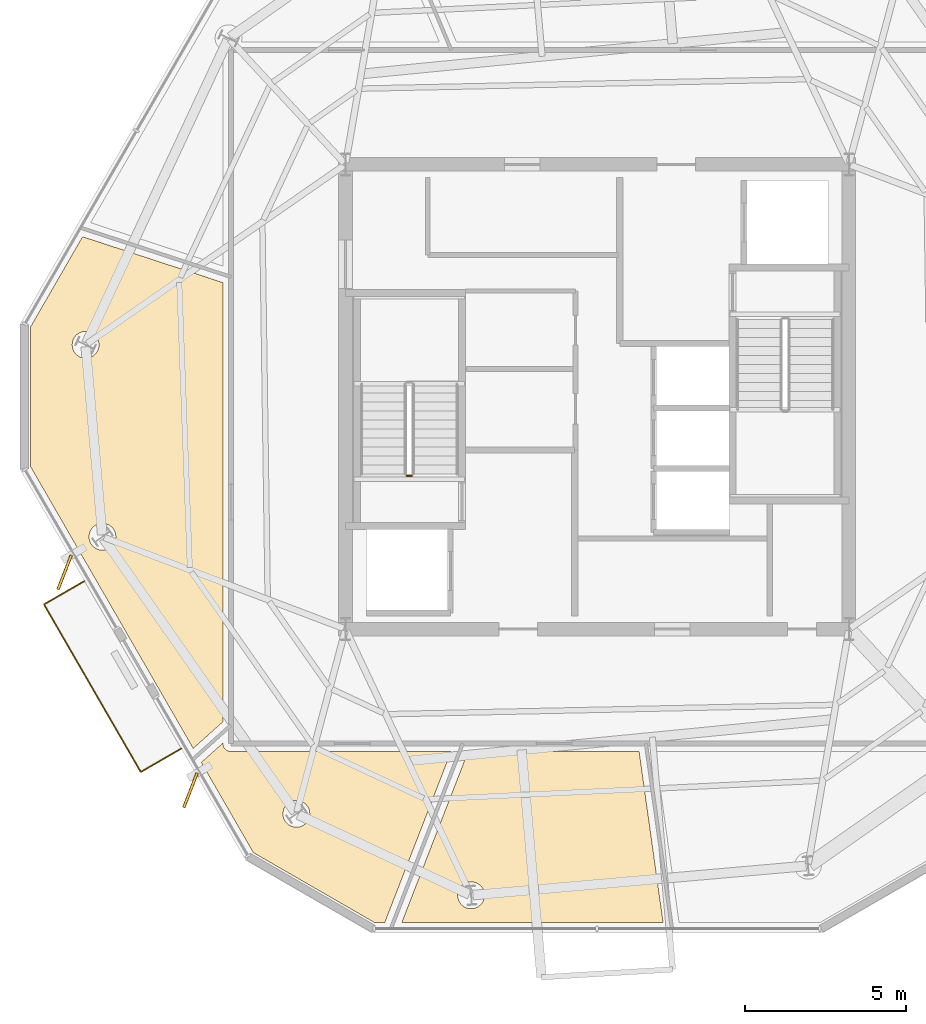
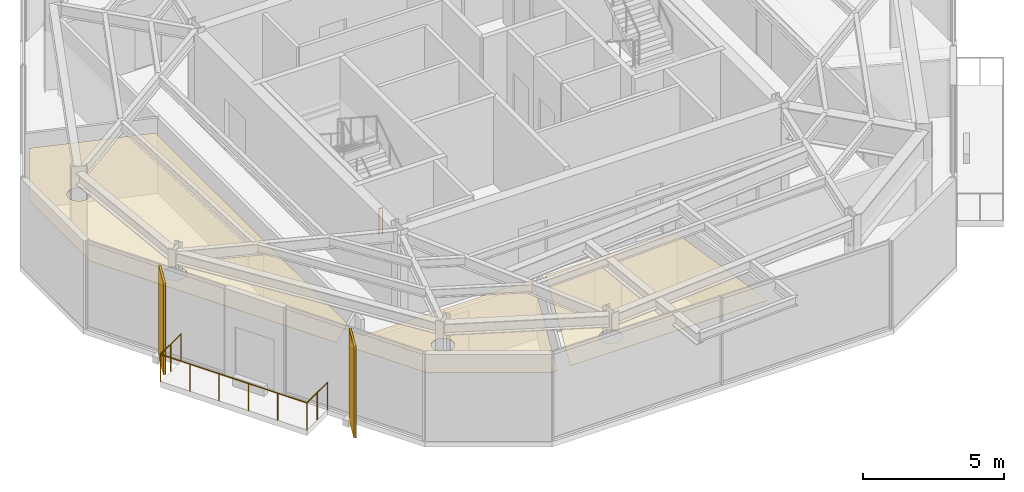
# One storey, part 8 of 11: 5 coverings, 2 railings, 2 shading devices.
"""IFC4 building model written with IfcOpenShell, lengths in metres."""

from ifc_helpers import new_model, si_unit, direction, frame, origin, origin_2d, place, context, subcontext, project, spatial, polyline, rectangle, circle, outline, extrude, material, layer, layer_set, type_object, element, save


model = new_model("IFC4")

# Units and contexts
model_context = context("Model", 3, precision=1e-05, world=origin(), true_north=direction((0.0, 1.0)))
body_context = subcontext(model_context, "Body", "Model", "MODEL_VIEW")
ifc_project = project(units=[si_unit("LENGTHUNIT", "METRE"), si_unit("AREAUNIT", "SQUARE_METRE"), si_unit("VOLUMEUNIT", "CUBIC_METRE"), si_unit("PLANEANGLEUNIT", "RADIAN"), si_unit("MASSUNIT", "GRAM", prefix="KILO")], contexts=[model_context])

# Site, building, storey
site_placement = place(None, origin())
site = spatial("IfcSite", under=ifc_project, at=site_placement, CompositionType="ELEMENT")
building_placement = place(site_placement, origin())
building = spatial("IfcBuilding", under=site, at=building_placement, Name="Kranzbogen Civic Tower", CompositionType="ELEMENT")
storey_placement = place(building_placement, frame((0.0, 0.0, 266.199951171875)))
storey = spatial("IfcBuildingStorey", under=building, at=storey_placement, Name="L64", CompositionType="ELEMENT", Elevation=266.199951171875)

# Coverings
ifc_material_1 = material(Name="Pale Anodised Aluminium", Category="aluminium")
ifc_layer_1 = layer(ifc_material_1, 0.02490234375, Name="Pale Anodised Aluminium")
ifc_layer_set_1 = layer_set([ifc_layer_1], Name="Pale Anodised Aluminium")
covering_type_1 = type_object("IfcCoveringType", Name="Anodised Aluminium Vertical Fin Cladding 25 mm", PredefinedType="CLADDING", material=ifc_layer_set_1)
for number, where, z_axis, x_axis, name in (
    (1, (8.4951171875, 19.55810546875, -0.139892578125), (0.0, 0.0, 1.0), (-0.361705929305, -0.932292239969, 0.0), "L64 vertical fin pale-metal cladding F3-1"),
    (2, (12.39501953125, 12.802978515625, -0.139892578125), (0.0, 0.0, 1.0), (-0.361705929305, -0.932292239969, 0.0), "L64 vertical fin pale-metal cladding F3-4"),
):
    element("IfcCovering", number, at=place(storey_placement, frame(where, z_axis=z_axis, x_axis=x_axis)), inside=storey, type_object=covering_type_1, Name=name, PredefinedType="CLADDING", context=body_context, shape_type="SweptSolid", body=[
        extrude(rectangle(XDim=1.14990234375, YDim=0.094970703125, at=origin_2d()), origin(), (0.0, 0.0, 1.0), 3.9599609375),
    ])

# Railings
ifc_material_2 = material(Name="Anodised Bronze Aluminium", Category="aluminium")
railing_type_1 = type_object("IfcRailingType", Name="Cantilevered Balcony Glass and Bronze Balustrade 1200", PredefinedType="BALUSTRADE", material=ifc_material_2)
railing_1_placement = place(storey_placement, frame((9.110107421875, 19.2900390625, 0.0)))
element("IfcRailing", 3, at=railing_1_placement, inside=storey, type_object=railing_type_1, Name="L64 exterior terrace balustrade L64-TB1", PredefinedType="BALUSTRADE", context=body_context, shape_type="SweptSolid", body=[
    extrude(circle(Radius=0.02392578125, at=origin_2d()), frame((0.0, 0.0, 1.17578125), z_axis=(-0.866059450854, -0.499941024108, 0.0), x_axis=(0.499941024108, -0.866059450854, 0.0)), (0.0, 0.0, 1.0), 1.450439453125),
    extrude(circle(Radius=0.02392578125, at=origin_2d()), frame((-1.256103515625, -0.72509765625, 1.17578125), z_axis=(0.500007758305, -0.866020924479, 0.0), x_axis=(0.866020924479, 0.500007758305, 0.0)), (0.0, 0.0, 1.0), 6.0),
    extrude(circle(Radius=0.02392578125, at=origin_2d()), frame((1.743896484375, -5.921142578125, 1.17578125), z_axis=(0.866059450854, 0.499941024108, 0.0), x_axis=(-0.499941024108, 0.866059450854, 0.0)), (0.0, 0.0, 1.0), 1.450439453125),
    extrude(circle(Radius=0.02099609375, at=origin_2d()), origin(), (0.0, 0.0, 1.0), 1.15185546875),
    extrude(circle(Radius=0.02099609375, at=origin_2d()), frame((-0.6279296875, -0.362548828125, 0.0)), (0.0, 0.0, 1.0), 1.15185546875),
    extrude(circle(Radius=0.02099609375, at=origin_2d()), frame((-1.256103515625, -0.72509765625, 0.0)), (0.0, 0.0, 1.0), 1.15185546875),
    extrude(circle(Radius=0.02099609375, at=origin_2d()), frame((-0.656005859375, -1.764404296875, 0.0)), (0.0, 0.0, 1.0), 1.15185546875),
    extrude(circle(Radius=0.02099609375, at=origin_2d()), frame((-0.05615234375, -2.803466796875, 0.0)), (0.0, 0.0, 1.0), 1.15185546875),
    extrude(circle(Radius=0.02099609375, at=origin_2d()), frame((0.5439453125, -3.8427734375, 0.0)), (0.0, 0.0, 1.0), 1.15185546875),
    extrude(circle(Radius=0.02099609375, at=origin_2d()), frame((1.143798828125, -4.8818359375, 0.0)), (0.0, 0.0, 1.0), 1.15185546875),
    extrude(circle(Radius=0.02099609375, at=origin_2d()), frame((1.743896484375, -5.921142578125, 0.0)), (0.0, 0.0, 1.0), 1.15185546875),
    extrude(circle(Radius=0.02099609375, at=origin_2d()), frame((2.3720703125, -5.55859375, 0.0)), (0.0, 0.0, 1.0), 1.15185546875),
    extrude(circle(Radius=0.02099609375, at=origin_2d()), frame((3.0, -5.196044921875, 0.0)), (0.0, 0.0, 1.0), 1.15185546875),
])
ifc_material_3 = material(Name="Steel S355", Category="steel")
railing_type_2 = type_object("IfcRailingType", Name="Internal Stair and Void Steel Guardrail 1150", PredefinedType="GUARDRAIL", material=ifc_material_3)
railing_2_placement = place(storey_placement, frame((19.25, 22.550048828125, 0.0)))
element("IfcRailing", 4, at=railing_2_placement, inside=storey, type_object=railing_type_2, Name="L64 ST-T1 stair guard 4", PredefinedType="GUARDRAIL", context=body_context, shape_type="SweptSolid", body=[
    extrude(circle(Radius=0.02392578125, at=origin_2d()), frame((0.0, 0.0, 1.1259765625), z_axis=(-1.0, 0.0, 0.0), x_axis=(0.0, -1.0, 0.0)), (0.0, 0.0, 1.0), 0.14990234375),
    extrude(circle(Radius=0.02099609375, at=origin_2d()), origin(), (0.0, 0.0, 1.0), 1.101806640625),
    extrude(circle(Radius=0.02099609375, at=origin_2d()), frame((-0.14990234375, 0.0, 0.0)), (0.0, 0.0, 1.0), 1.101806640625),
])

# Shading devices
shading_device_type = type_object("IfcShadingDeviceType", Name="Pale Anodised Aluminium Crown Fin 1150x75", PredefinedType="USERDEFINED", material=ifc_material_1)
for number, where, z_axis, x_axis, name in (
    (5, (8.4951171875, 19.55810546875, -0.139892578125), (0.0, 0.0, 1.0), (-0.361705929305, -0.932292239969, 0.0), "L64 vertical exterior shading fin F3-1"),
    (6, (12.39501953125, 12.802978515625, -0.139892578125), (0.0, 0.0, 1.0), (-0.361705929305, -0.932292239969, 0.0), "L64 vertical exterior shading fin F3-4"),
):
    element("IfcShadingDevice", number, at=place(storey_placement, frame(where, z_axis=z_axis, x_axis=x_axis)), inside=storey, type_object=shading_device_type, Name=name, ObjectType="FIN", PredefinedType="USERDEFINED", context=body_context, shape_type="SweptSolid", body=[
        extrude(rectangle(XDim=1.14990234375, YDim=0.074951171875, at=origin_2d()), origin(), (0.0, 0.0, 1.0), 3.9599609375),
    ])

# Coverings
ifc_material_4 = material(Name="Perforated Acoustic Gypsum Ceiling")
ifc_layer_2 = layer(ifc_material_4, 0.02490234375, Name="Perforated Acoustic Gypsum Ceiling")
ifc_layer_set_2 = layer_set([ifc_layer_2], Name="Perforated Acoustic Gypsum Ceiling")
covering_type_2 = type_object("IfcCoveringType", Name="Perforated Acoustic Mineral Ceiling Tile 25 mm", PredefinedType="CEILING", material=ifc_layer_set_2)
covering_1_placement = place(storey_placement, frame((0.0, 0.0, 2.75)))
element("IfcCovering", 7, at=covering_1_placement, inside=storey, type_object=covering_type_2, Name="L64 Operations Security Control Room acoustic ceiling", PredefinedType="CEILING", context=body_context, shape_type="SweptSolid", body=[
    extrude(outline(polyline([(7.43701171875, 27.1630859375), (9.051025390625, 29.958984375), (13.405029296875, 28.534912109375), (13.405029296875, 14.929931640625), (12.47998046875, 14.10107421875), (7.43701171875, 22.8369140625), (7.43701171875, 27.1630859375)]), holes=[polyline([(10.050048828125, 20.501953125), (10.031982421875, 20.465087890625), (10.010986328125, 20.429931640625), (9.987060546875, 20.39697265625), (9.9599609375, 20.366943359375), (9.929931640625, 20.340087890625), (9.89697265625, 20.31591796875), (9.862060546875, 20.294921875), (9.824951171875, 20.277099609375), (9.787109375, 20.262939453125), (9.7470703125, 20.25390625), (9.70703125, 20.248046875), (9.666015625, 20.24609375), (9.625, 20.248046875), (9.5849609375, 20.25390625), (9.544921875, 20.262939453125), (9.507080078125, 20.277099609375), (9.469970703125, 20.294921875), (9.43505859375, 20.31591796875), (9.402099609375, 20.340087890625), (9.3720703125, 20.366943359375), (9.344970703125, 20.39697265625), (9.321044921875, 20.429931640625), (9.300048828125, 20.465087890625), (9.281982421875, 20.501953125), (9.26806640625, 20.5400390625), (9.259033203125, 20.580078125), (9.2529296875, 20.6201171875), (9.2509765625, 20.660888671875), (9.2529296875, 20.701904296875), (9.259033203125, 20.741943359375), (9.26806640625, 20.781982421875), (9.281982421875, 20.820068359375), (9.300048828125, 20.85693359375), (9.321044921875, 20.89208984375), (9.344970703125, 20.925048828125), (9.3720703125, 20.955078125), (9.402099609375, 20.98193359375), (9.43505859375, 21.006103515625), (9.469970703125, 21.027099609375), (9.507080078125, 21.044921875), (9.544921875, 21.05908203125), (9.5849609375, 21.068115234375), (9.625, 21.073974609375), (9.666015625, 21.075927734375), (9.70703125, 21.073974609375), (9.7470703125, 21.068115234375), (9.787109375, 21.05908203125), (9.824951171875, 21.044921875), (9.862060546875, 21.027099609375), (9.89697265625, 21.006103515625), (9.929931640625, 20.98193359375), (9.9599609375, 20.955078125), (9.987060546875, 20.925048828125), (10.010986328125, 20.89208984375), (10.031982421875, 20.85693359375), (10.050048828125, 20.820068359375), (10.06396484375, 20.781982421875), (10.072998046875, 20.741943359375), (10.0791015625, 20.701904296875), (10.0810546875, 20.660888671875), (10.0791015625, 20.6201171875), (10.072998046875, 20.580078125), (10.06396484375, 20.5400390625), (10.050048828125, 20.501953125)]), polyline([(9.529052734375, 26.450927734375), (9.510986328125, 26.4140625), (9.489990234375, 26.37890625), (9.466064453125, 26.345947265625), (9.43896484375, 26.31591796875), (9.408935546875, 26.2890625), (9.3759765625, 26.264892578125), (9.341064453125, 26.243896484375), (9.303955078125, 26.22607421875), (9.26611328125, 26.2119140625), (9.22607421875, 26.202880859375), (9.18603515625, 26.197021484375), (9.14501953125, 26.195068359375), (9.10400390625, 26.197021484375), (9.06396484375, 26.202880859375), (9.02392578125, 26.2119140625), (8.986083984375, 26.22607421875), (8.948974609375, 26.243896484375), (8.9140625, 26.264892578125), (8.881103515625, 26.2890625), (8.85107421875, 26.31591796875), (8.823974609375, 26.345947265625), (8.800048828125, 26.37890625), (8.779052734375, 26.4140625), (8.760986328125, 26.450927734375), (8.7470703125, 26.489013671875), (8.738037109375, 26.529052734375), (8.73193359375, 26.569091796875), (8.72998046875, 26.610107421875), (8.73193359375, 26.65087890625), (8.738037109375, 26.69091796875), (8.7470703125, 26.73095703125), (8.760986328125, 26.76904296875), (8.779052734375, 26.805908203125), (8.800048828125, 26.841064453125), (8.823974609375, 26.8740234375), (8.85107421875, 26.904052734375), (8.881103515625, 26.930908203125), (8.9140625, 26.955078125), (8.948974609375, 26.97607421875), (8.986083984375, 26.993896484375), (9.02392578125, 27.008056640625), (9.06396484375, 27.01708984375), (9.10400390625, 27.02294921875), (9.14501953125, 27.02490234375), (9.18603515625, 27.02294921875), (9.22607421875, 27.01708984375), (9.26611328125, 27.008056640625), (9.303955078125, 26.993896484375), (9.341064453125, 26.97607421875), (9.3759765625, 26.955078125), (9.408935546875, 26.930908203125), (9.43896484375, 26.904052734375), (9.466064453125, 26.8740234375), (9.489990234375, 26.841064453125), (9.510986328125, 26.805908203125), (9.529052734375, 26.76904296875), (9.54296875, 26.73095703125), (9.552001953125, 26.69091796875), (9.55810546875, 26.65087890625), (9.56005859375, 26.610107421875), (9.55810546875, 26.569091796875), (9.552001953125, 26.529052734375), (9.54296875, 26.489013671875), (9.529052734375, 26.450927734375)])]), origin(), (0.0, 0.0, 1.0), 0.025146484375),
])
covering_2_placement = place(storey_placement, frame((0.0, 0.0, 2.75)))
element("IfcCovering", 8, at=covering_2_placement, inside=storey, type_object=covering_type_2, Name="L64 Central Mail Post Room acoustic ceiling", PredefinedType="CEILING", context=body_context, shape_type="SweptSolid", body=[
    extrude(outline(polyline([(27.04296875, 8.7080078125), (18.945068359375, 8.708984375), (20.9990234375, 14.0048828125), (26.299072265625, 14.0048828125), (27.04296875, 8.7080078125)]), holes=[polyline([(21.47509765625, 9.39111328125), (21.45703125, 9.35400390625), (21.43603515625, 9.319091796875), (21.412109375, 9.285888671875), (21.385009765625, 9.256103515625), (21.35498046875, 9.22900390625), (21.322021484375, 9.205078125), (21.287109375, 9.18408203125), (21.25, 9.166015625), (21.2119140625, 9.152099609375), (21.172119140625, 9.14306640625), (21.132080078125, 9.136962890625), (21.091064453125, 9.135009765625), (21.050048828125, 9.136962890625), (21.010009765625, 9.14306640625), (20.969970703125, 9.152099609375), (20.931884765625, 9.166015625), (20.89501953125, 9.18408203125), (20.860107421875, 9.205078125), (20.826904296875, 9.22900390625), (20.797119140625, 9.256103515625), (20.77001953125, 9.285888671875), (20.74609375, 9.319091796875), (20.72509765625, 9.35400390625), (20.70703125, 9.39111328125), (20.693115234375, 9.428955078125), (20.68408203125, 9.468994140625), (20.677978515625, 9.509033203125), (20.676025390625, 9.550048828125), (20.677978515625, 9.591064453125), (20.68408203125, 9.631103515625), (20.693115234375, 9.6708984375), (20.70703125, 9.708984375), (20.72509765625, 9.74609375), (20.74609375, 9.781005859375), (20.77001953125, 9.81396484375), (20.797119140625, 9.843994140625), (20.826904296875, 9.87109375), (20.860107421875, 9.89501953125), (20.89501953125, 9.916015625), (20.931884765625, 9.93408203125), (20.969970703125, 9.947998046875), (21.010009765625, 9.95703125), (21.050048828125, 9.962890625), (21.091064453125, 9.965087890625), (21.132080078125, 9.962890625), (21.172119140625, 9.95703125), (21.2119140625, 9.947998046875), (21.25, 9.93408203125), (21.287109375, 9.916015625), (21.322021484375, 9.89501953125), (21.35498046875, 9.87109375), (21.385009765625, 9.843994140625), (21.412109375, 9.81396484375), (21.43603515625, 9.781005859375), (21.45703125, 9.74609375), (21.47509765625, 9.708984375), (21.489013671875, 9.6708984375), (21.498046875, 9.631103515625), (21.50390625, 9.591064453125), (21.506103515625, 9.550048828125), (21.50390625, 9.509033203125), (21.498046875, 9.468994140625), (21.489013671875, 9.428955078125), (21.47509765625, 9.39111328125)])]), origin(), (0.0, 0.0, 1.0), 0.025146484375),
])
covering_3_placement = place(storey_placement, frame((0.0, 0.0, 2.75)))
element("IfcCovering", 9, at=covering_3_placement, inside=storey, type_object=covering_type_2, Name="L64 Duty Crew Control Room acoustic ceiling", PredefinedType="CEILING", context=body_context, shape_type="SweptSolid", body=[
    extrude(outline(polyline([(12.73095703125, 13.6669921875), (13.405029296875, 14.27197265625), (13.405029296875, 14.25), (13.405029296875, 14.240966796875), (13.406005859375, 14.235107421875), (13.406982421875, 14.217041015625), (13.407958984375, 14.2109375), (13.412109375, 14.194091796875), (13.4130859375, 14.18701171875), (13.41796875, 14.169921875), (13.419921875, 14.1640625), (13.427001953125, 14.14794921875), (13.429931640625, 14.14208984375), (13.43798828125, 14.126953125), (13.44189453125, 14.12109375), (13.450927734375, 14.10693359375), (13.455078125, 14.10205078125), (13.466064453125, 14.087890625), (13.470947265625, 14.0830078125), (13.48291015625, 14.071044921875), (13.488037109375, 14.06591796875), (13.501953125, 14.054931640625), (13.507080078125, 14.051025390625), (13.52099609375, 14.0419921875), (13.527099609375, 14.0380859375), (13.5419921875, 14.030029296875), (13.548095703125, 14.027099609375), (13.56396484375, 14.02001953125), (13.570068359375, 14.01806640625), (13.5869140625, 14.012939453125), (13.593994140625, 14.011962890625), (13.611083984375, 14.008056640625), (13.616943359375, 14.007080078125), (13.635009765625, 14.006103515625), (13.64111328125, 14.0048828125), (13.64990234375, 14.0048828125), (20.472900390625, 14.0048828125), (18.4189453125, 8.708984375), (18.092041015625, 8.708984375), (14.344970703125, 10.87109375), (12.73095703125, 13.6669921875)]), holes=[polyline([(16.06201171875, 11.9150390625), (16.0439453125, 11.8779296875), (16.02294921875, 11.843017578125), (15.9990234375, 11.81005859375), (15.971923828125, 11.780029296875), (15.94189453125, 11.7529296875), (15.908935546875, 11.72900390625), (15.8740234375, 11.7080078125), (15.8369140625, 11.68994140625), (15.799072265625, 11.676025390625), (15.759033203125, 11.6669921875), (15.718994140625, 11.660888671875), (15.677978515625, 11.658935546875), (15.636962890625, 11.660888671875), (15.596923828125, 11.6669921875), (15.556884765625, 11.676025390625), (15.51904296875, 11.68994140625), (15.48193359375, 11.7080078125), (15.447021484375, 11.72900390625), (15.4140625, 11.7529296875), (15.384033203125, 11.780029296875), (15.35693359375, 11.81005859375), (15.3330078125, 11.843017578125), (15.31201171875, 11.8779296875), (15.2939453125, 11.9150390625), (15.280029296875, 11.952880859375), (15.27099609375, 11.992919921875), (15.264892578125, 12.032958984375), (15.262939453125, 12.073974609375), (15.264892578125, 12.114990234375), (15.27099609375, 12.155029296875), (15.280029296875, 12.195068359375), (15.2939453125, 12.23291015625), (15.31201171875, 12.27001953125), (15.3330078125, 12.304931640625), (15.35693359375, 12.337890625), (15.384033203125, 12.367919921875), (15.4140625, 12.39501953125), (15.447021484375, 12.4189453125), (15.48193359375, 12.43994140625), (15.51904296875, 12.4580078125), (15.556884765625, 12.471923828125), (15.596923828125, 12.48095703125), (15.636962890625, 12.487060546875), (15.677978515625, 12.489013671875), (15.718994140625, 12.487060546875), (15.759033203125, 12.48095703125), (15.799072265625, 12.471923828125), (15.8369140625, 12.4580078125), (15.8740234375, 12.43994140625), (15.908935546875, 12.4189453125), (15.94189453125, 12.39501953125), (15.971923828125, 12.367919921875), (15.9990234375, 12.337890625), (16.02294921875, 12.304931640625), (16.0439453125, 12.27001953125), (16.06201171875, 12.23291015625), (16.075927734375, 12.195068359375), (16.0849609375, 12.155029296875), (16.091064453125, 12.114990234375), (16.093017578125, 12.073974609375), (16.091064453125, 12.032958984375), (16.0849609375, 11.992919921875), (16.075927734375, 11.952880859375), (16.06201171875, 11.9150390625)])]), origin(), (0.0, 0.0, 1.0), 0.025146484375),
])

save(model, "model.ifc")
